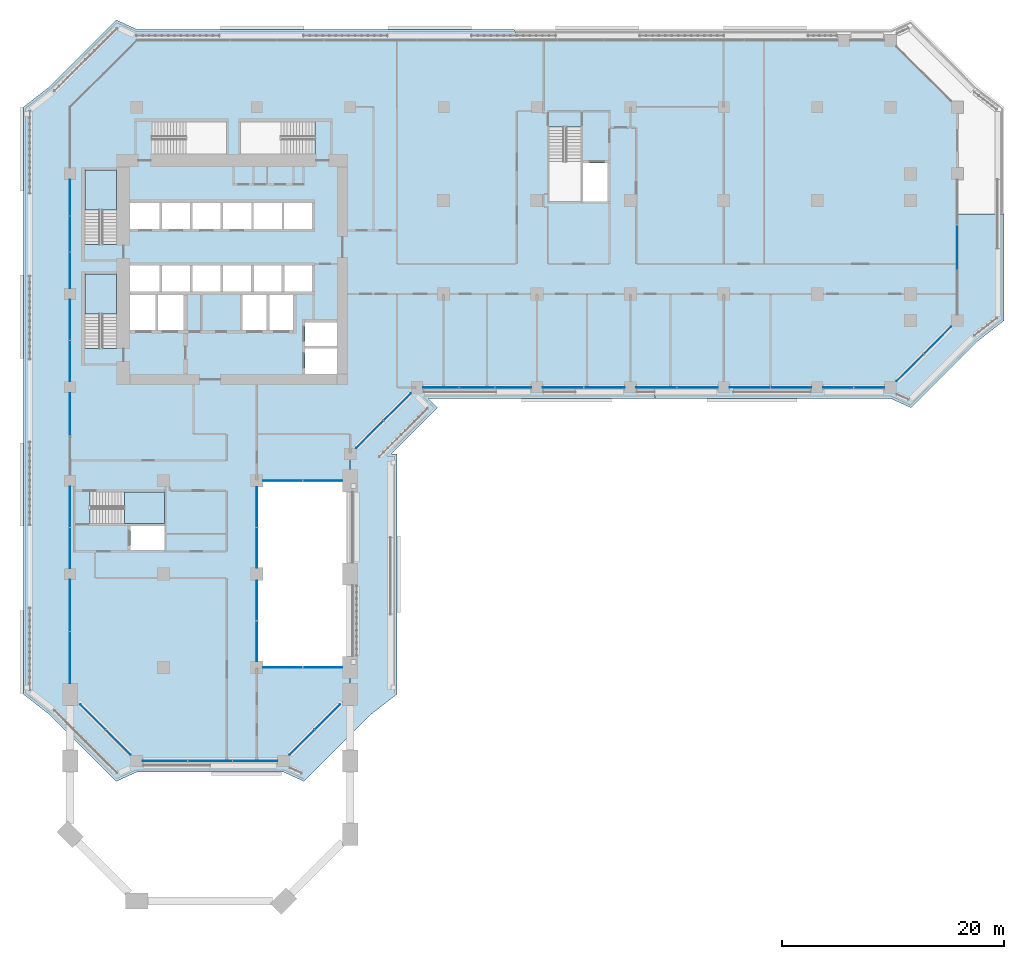
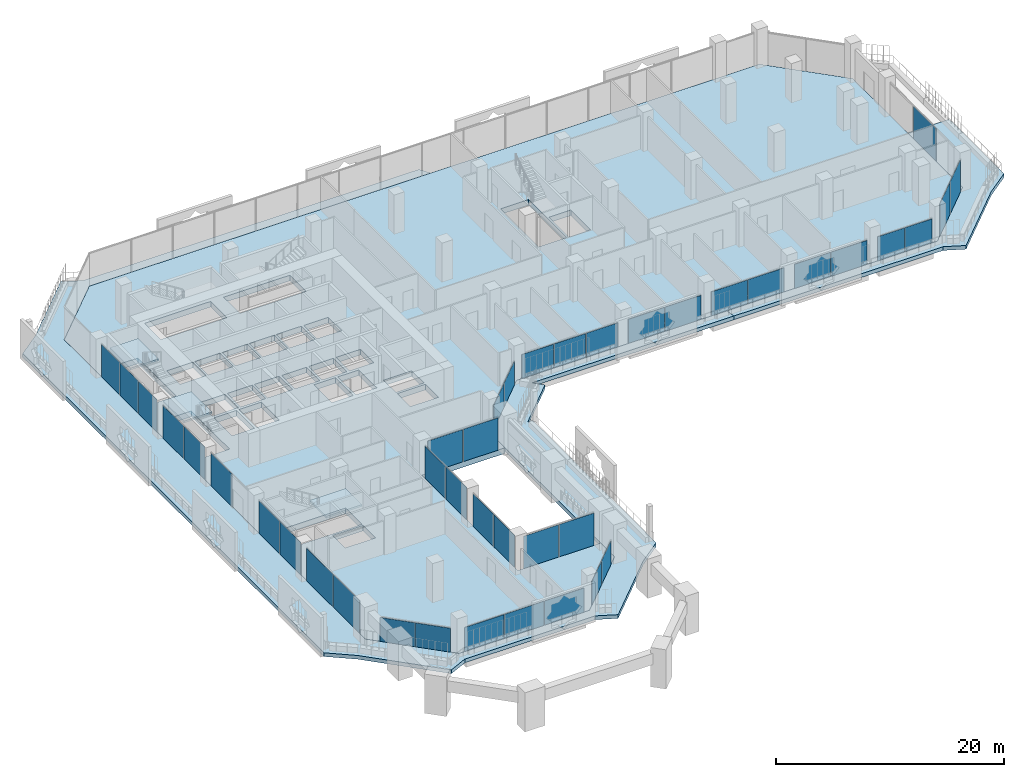
# One storey, part 13 of 29: 41 plates, 6 slabs, 14 elements without a shape of their own.
"""IFC4 building model written with IfcOpenShell, lengths in metres."""

from ifc_helpers import new_model, si_unit, direction, frame, origin, origin_2d, place, context, subcontext, project, spatial, polyline, rectangle, outline, extrude, material, layer, layer_set, type_object, element, aggregate, save


model = new_model("IFC4")

# Units and contexts
model_context = context("Model", 3, precision=1e-05, world=origin(), true_north=direction((0.0, 1.0)))
body_context = subcontext(model_context, "Body", "Model", "MODEL_VIEW")
ifc_project = project(units=[si_unit("LENGTHUNIT", "METRE"), si_unit("AREAUNIT", "SQUARE_METRE"), si_unit("VOLUMEUNIT", "CUBIC_METRE"), si_unit("PLANEANGLEUNIT", "RADIAN"), si_unit("MASSUNIT", "GRAM", prefix="KILO")], contexts=[model_context])

# Site, building, storey
site_placement = place(None, origin())
site = spatial("IfcSite", under=ifc_project, at=site_placement, CompositionType="ELEMENT")
building_placement = place(site_placement, origin())
building = spatial("IfcBuilding", under=site, at=building_placement, Name="Kawkab Arch Medical Tower", CompositionType="ELEMENT")
storey_placement = place(building_placement, frame((0.0, 0.0, 107.199951171875)))
storey = spatial("IfcBuildingStorey", under=building, at=storey_placement, Name="L24", CompositionType="ELEMENT", Elevation=107.199951171875)

# Curtain wall, plates
ifc_material_1 = material(Name="Bronze anodised aluminium curtain wall frame", Category="aluminium")
ifc_layer_1 = layer(ifc_material_1, 0.159912109375)
ifc_layer_set_1 = layer_set([ifc_layer_1], Name="Bronze anodised aluminium curtain wall frame")
curtain_wall_type_1 = type_object("IfcCurtainWallType", Name="CW1 ward curtain wall", PredefinedType="NOTDEFINED", material=ifc_layer_set_1)
placement_1 = place(storey_placement, origin())
curtain_wall_1 = element("IfcCurtainWall", 1, at=placement_1, inside=storey, type_object=curtain_wall_type_1, Name="CW1 Ward curtain wall R07", PredefinedType="NOTDEFINED")
ifc_material_2 = material(Name="Tinted insulating glass, bronze low-e coating", Category="glass")
ifc_layer_2 = layer(ifc_material_2, 0.031982421875)
ifc_layer_set_2 = layer_set([ifc_layer_2], Name="Tinted insulating glass, bronze low-e coating")
plate_type_1 = type_object("IfcPlateType", Name="CW1 glazing unit 32", PredefinedType="CURTAIN_PANEL", material=ifc_layer_set_2)
plate_1_placement = place(storey_placement, frame((33.355712890625, -25.199951171875, 0.0), z_axis=(0.0, 0.0, 1.0), x_axis=(1.0, 0.0, 0.0)))
plate_1 = element("IfcPlate", 2, at=plate_1_placement, type_object=plate_type_1, Name="CW1 glazing unit 1.1", PredefinedType="CURTAIN_PANEL", context=body_context, shape_type="SweptSolid", body=[
    extrude(rectangle(XDim=3.211669921875, YDim=0.031982421875, at=origin_2d()), origin(), (0.0, 0.0, 1.0), 2.580078125),
])
plate_2_placement = place(storey_placement, frame((36.612548828125, -25.199951171875, 0.0), z_axis=(0.0, 0.0, 1.0), x_axis=(1.0, 0.0, 0.0)))
plate_2 = element("IfcPlate", 3, at=plate_2_placement, type_object=plate_type_1, Name="CW1 glazing unit 1.2", PredefinedType="CURTAIN_PANEL", context=body_context, shape_type="SweptSolid", body=[
    extrude(rectangle(XDim=3.181640625, YDim=0.031982421875, at=origin_2d()), origin(), (0.0, 0.0, 1.0), 2.580078125),
])
plate_3_placement = place(storey_placement, frame((39.869140625, -25.199951171875, 0.0), z_axis=(0.0, 0.0, 1.0), x_axis=(1.0, 0.0, 0.0)))
plate_3 = element("IfcPlate", 4, at=plate_3_placement, type_object=plate_type_1, Name="CW1 glazing unit 1.3", PredefinedType="CURTAIN_PANEL", context=body_context, shape_type="SweptSolid", body=[
    extrude(rectangle(XDim=3.211669921875, YDim=0.031982421875, at=origin_2d()), origin(), (0.0, 0.0, 1.0), 2.580078125),
])
plate_4_placement = place(storey_placement, frame((44.347412109375, -25.199951171875, 0.0), z_axis=(0.0, 0.0, 1.0), x_axis=(1.0, 0.0, 0.0)))
plate_4 = element("IfcPlate", 5, at=plate_4_placement, type_object=plate_type_1, Name="CW1 glazing unit 2.1", PredefinedType="CURTAIN_PANEL", context=body_context, shape_type="SweptSolid", body=[
    extrude(rectangle(XDim=3.64501953125, YDim=0.031982421875, at=origin_2d()), origin(), (0.0, 0.0, 1.0), 2.580078125),
])
plate_5_placement = place(storey_placement, frame((48.052490234375, -25.199951171875, 0.0), z_axis=(0.0, 0.0, 1.0), x_axis=(1.0, 0.0, 0.0)))
plate_5 = element("IfcPlate", 6, at=plate_5_placement, type_object=plate_type_1, Name="CW1 glazing unit 2.2", PredefinedType="CURTAIN_PANEL", context=body_context, shape_type="SweptSolid", body=[
    extrude(rectangle(XDim=3.64501953125, YDim=0.031982421875, at=origin_2d()), origin(), (0.0, 0.0, 1.0), 2.580078125),
])
plate_6_placement = place(storey_placement, frame((52.74755859375, -25.199951171875, 0.0), z_axis=(0.0, 0.0, 1.0), x_axis=(1.0, 0.0, 0.0)))
plate_6 = element("IfcPlate", 7, at=plate_6_placement, type_object=plate_type_1, Name="CW1 glazing unit 3.1", PredefinedType="CURTAIN_PANEL", context=body_context, shape_type="SweptSolid", body=[
    extrude(rectangle(XDim=3.64501953125, YDim=0.031982421875, at=origin_2d()), origin(), (0.0, 0.0, 1.0), 2.580078125),
])
plate_7_placement = place(storey_placement, frame((56.452392578125, -25.199951171875, 0.0), z_axis=(0.0, 0.0, 1.0), x_axis=(1.0, 0.0, 0.0)))
plate_7 = element("IfcPlate", 8, at=plate_7_placement, type_object=plate_type_1, Name="CW1 glazing unit 3.2", PredefinedType="CURTAIN_PANEL", context=body_context, shape_type="SweptSolid", body=[
    extrude(rectangle(XDim=3.64501953125, YDim=0.031982421875, at=origin_2d()), origin(), (0.0, 0.0, 1.0), 2.580078125),
])
plate_8_placement = place(storey_placement, frame((61.1474609375, -25.199951171875, 0.0), z_axis=(0.0, 0.0, 1.0), x_axis=(1.0, 0.0, 0.0)))
plate_8 = element("IfcPlate", 9, at=plate_8_placement, type_object=plate_type_1, Name="CW1 glazing unit 4.1", PredefinedType="CURTAIN_PANEL", context=body_context, shape_type="SweptSolid", body=[
    extrude(rectangle(XDim=3.64501953125, YDim=0.031982421875, at=origin_2d()), origin(), (0.0, 0.0, 1.0), 2.580078125),
])
plate_9_placement = place(storey_placement, frame((64.8525390625, -25.199951171875, 0.0), z_axis=(0.0, 0.0, 1.0), x_axis=(1.0, 0.0, 0.0)))
plate_9 = element("IfcPlate", 10, at=plate_9_placement, type_object=plate_type_1, Name="CW1 glazing unit 4.2", PredefinedType="CURTAIN_PANEL", context=body_context, shape_type="SweptSolid", body=[
    extrude(rectangle(XDim=3.64501953125, YDim=0.031982421875, at=origin_2d()), origin(), (0.0, 0.0, 1.0), 2.580078125),
])
plate_10_placement = place(storey_placement, frame((69.09130859375, -25.199951171875, 0.0), z_axis=(0.0, 0.0, 1.0), x_axis=(1.0, 0.0, 0.0)))
plate_10 = element("IfcPlate", 11, at=plate_10_placement, type_object=plate_type_1, Name="CW1 glazing unit 5.1", PredefinedType="CURTAIN_PANEL", context=body_context, shape_type="SweptSolid", body=[
    extrude(rectangle(XDim=2.732421875, YDim=0.031982421875, at=origin_2d()), origin(), (0.0, 0.0, 1.0), 2.580078125),
])
plate_11_placement = place(storey_placement, frame((71.8837890625, -25.199951171875, 0.0), z_axis=(0.0, 0.0, 1.0), x_axis=(1.0, 0.0, 0.0)))
plate_11 = element("IfcPlate", 12, at=plate_11_placement, type_object=plate_type_1, Name="CW1 glazing unit 5.2", PredefinedType="CURTAIN_PANEL", context=body_context, shape_type="SweptSolid", body=[
    extrude(rectangle(XDim=2.732421875, YDim=0.031982421875, at=origin_2d()), origin(), (0.0, 0.0, 1.0), 2.580078125),
])
aggregate(curtain_wall_1, [plate_1, plate_2, plate_3, plate_4, plate_5, plate_6, plate_7, plate_8, plate_9, plate_10, plate_11])

# Curtain wall, plate
curtain_wall_2 = element("IfcCurtainWall", 13, at=placement_1, inside=storey, type_object=curtain_wall_type_1, Name="CW1 Ward curtain wall R09", PredefinedType="NOTDEFINED")
plate_12_placement = place(storey_placement, frame((79.800048828125, -12.614990234375, 0.0), z_axis=(0.0, 0.0, 1.0), x_axis=(0.0, 1.0, 0.0)))
plate_12 = element("IfcPlate", 14, at=plate_12_placement, type_object=plate_type_1, Name="CW1 glazing unit 1.2", PredefinedType="CURTAIN_PANEL", context=body_context, shape_type="SweptSolid", body=[
    extrude(rectangle(XDim=4.00341796875, YDim=0.031982421875, at=origin_2d()), origin(), (0.0, 0.0, 1.0), 3.47998046875),
])
aggregate(curtain_wall_2, [plate_12])

# Curtain wall, plates
curtain_wall_3 = element("IfcCurtainWall", 15, at=placement_1, inside=storey, type_object=curtain_wall_type_1, Name="CW1 Ward curtain wall R13", PredefinedType="NOTDEFINED")
plate_13_placement = place(storey_placement, frame((0.0, -8.15576171875, 0.0), z_axis=(0.0, 0.0, 1.0), x_axis=(0.0, -1.0, 0.0)))
plate_13 = element("IfcPlate", 16, at=plate_13_placement, type_object=plate_type_1, Name="CW1 glazing unit 2.1", PredefinedType="CURTAIN_PANEL", context=body_context, shape_type="SweptSolid", body=[
    extrude(rectangle(XDim=3.211669921875, YDim=0.031982421875, at=origin_2d()), origin(), (0.0, 0.0, 1.0), 3.47998046875),
])
plate_14_placement = place(storey_placement, frame((0.0, -11.41259765625, 0.0), z_axis=(0.0, 0.0, 1.0), x_axis=(0.0, -1.0, 0.0)))
plate_14 = element("IfcPlate", 17, at=plate_14_placement, type_object=plate_type_1, Name="CW1 glazing unit 2.2", PredefinedType="CURTAIN_PANEL", context=body_context, shape_type="SweptSolid", body=[
    extrude(rectangle(XDim=3.181640625, YDim=0.031982421875, at=origin_2d()), origin(), (0.0, 0.0, 1.0), 3.47998046875),
])
plate_15_placement = place(storey_placement, frame((0.0, -14.669189453125, 0.0), z_axis=(0.0, 0.0, 1.0), x_axis=(0.0, -1.0, 0.0)))
plate_15 = element("IfcPlate", 18, at=plate_15_placement, type_object=plate_type_1, Name="CW1 glazing unit 2.3", PredefinedType="CURTAIN_PANEL", context=body_context, shape_type="SweptSolid", body=[
    extrude(rectangle(XDim=3.211669921875, YDim=0.031982421875, at=origin_2d()), origin(), (0.0, 0.0, 1.0), 3.47998046875),
])
plate_16_placement = place(storey_placement, frame((0.0, -19.1474609375, 0.0), z_axis=(0.0, 0.0, 1.0), x_axis=(0.0, -1.0, 0.0)))
plate_16 = element("IfcPlate", 19, at=plate_16_placement, type_object=plate_type_1, Name="CW1 glazing unit 3.1", PredefinedType="CURTAIN_PANEL", context=body_context, shape_type="SweptSolid", body=[
    extrude(rectangle(XDim=3.64501953125, YDim=0.031982421875, at=origin_2d()), origin(), (0.0, 0.0, 1.0), 3.47998046875),
])
plate_17_placement = place(storey_placement, frame((0.0, -22.8525390625, 0.0), z_axis=(0.0, 0.0, 1.0), x_axis=(0.0, -1.0, 0.0)))
plate_17 = element("IfcPlate", 20, at=plate_17_placement, type_object=plate_type_1, Name="CW1 glazing unit 3.2", PredefinedType="CURTAIN_PANEL", context=body_context, shape_type="SweptSolid", body=[
    extrude(rectangle(XDim=3.64501953125, YDim=0.031982421875, at=origin_2d()), origin(), (0.0, 0.0, 1.0), 3.47998046875),
])
plate_18_placement = place(storey_placement, frame((0.0, -27.5625, 0.0), z_axis=(0.0, 0.0, 1.0), x_axis=(0.0, -1.0, 0.0)))
plate_18 = element("IfcPlate", 21, at=plate_18_placement, type_object=plate_type_1, Name="CW1 glazing unit 4.1", PredefinedType="CURTAIN_PANEL", context=body_context, shape_type="SweptSolid", body=[
    extrude(rectangle(XDim=3.675048828125, YDim=0.031982421875, at=origin_2d()), origin(), (0.0, 0.0, 1.0), 3.47998046875),
])
plate_19_placement = place(storey_placement, frame((0.0, -35.947509765625, 0.0), z_axis=(0.0, 0.0, 1.0), x_axis=(0.0, -1.0, 0.0)))
plate_19 = element("IfcPlate", 22, at=plate_19_placement, type_object=plate_type_1, Name="CW1 glazing unit 5.1", PredefinedType="CURTAIN_PANEL", context=body_context, shape_type="SweptSolid", body=[
    extrude(rectangle(XDim=3.64501953125, YDim=0.031982421875, at=origin_2d()), origin(), (0.0, 0.0, 1.0), 3.47998046875),
])
plate_20_placement = place(storey_placement, frame((0.0, -39.652587890625, 0.0), z_axis=(0.0, 0.0, 1.0), x_axis=(0.0, -1.0, 0.0)))
plate_20 = element("IfcPlate", 23, at=plate_20_placement, type_object=plate_type_1, Name="CW1 glazing unit 5.2", PredefinedType="CURTAIN_PANEL", context=body_context, shape_type="SweptSolid", body=[
    extrude(rectangle(XDim=3.64501953125, YDim=0.031982421875, at=origin_2d()), origin(), (0.0, 0.0, 1.0), 3.47998046875),
])
plate_21_placement = place(storey_placement, frame((0.0, -44.828857421875, 0.0), z_axis=(0.0, 0.0, 1.0), x_axis=(0.0, -1.0, 0.0)))
plate_21 = element("IfcPlate", 24, at=plate_21_placement, type_object=plate_type_1, Name="CW1 glazing unit 6.1", PredefinedType="CURTAIN_PANEL", context=body_context, shape_type="SweptSolid", body=[
    extrude(rectangle(XDim=4.607421875, YDim=0.031982421875, at=origin_2d()), origin(), (0.0, 0.0, 1.0), 3.47998046875),
])
plate_22_placement = place(storey_placement, frame((0.0, -49.496337890625, 0.0), z_axis=(0.0, 0.0, 1.0), x_axis=(0.0, -1.0, 0.0)))
plate_22 = element("IfcPlate", 25, at=plate_22_placement, type_object=plate_type_1, Name="CW1 glazing unit 6.2", PredefinedType="CURTAIN_PANEL", context=body_context, shape_type="SweptSolid", body=[
    extrude(rectangle(XDim=4.607421875, YDim=0.031982421875, at=origin_2d()), origin(), (0.0, 0.0, 1.0), 3.47998046875),
])
aggregate(curtain_wall_3, [plate_13, plate_14, plate_15, plate_16, plate_17, plate_18, plate_19, plate_20, plate_21, plate_22])

curtain_wall_4 = element("IfcCurtainWall", 26, at=placement_1, inside=storey, type_object=curtain_wall_type_1, Name="CW1 Ward curtain wall R15", PredefinedType="NOTDEFINED")
plate_23_placement = place(storey_placement, frame((8.5517578125, -58.800048828125, 0.0), z_axis=(0.0, 0.0, 1.0), x_axis=(1.0, 0.0, 0.0)))
plate_23 = element("IfcPlate", 27, at=plate_23_placement, type_object=plate_type_1, Name="CW1 glazing unit 1.1", PredefinedType="CURTAIN_PANEL", context=body_context, shape_type="SweptSolid", body=[
    extrude(rectangle(XDim=4.00341796875, YDim=0.031982421875, at=origin_2d()), origin(), (0.0, 0.0, 1.0), 2.580078125),
])
plate_24_placement = place(storey_placement, frame((12.60009765625, -58.800048828125, 0.0), z_axis=(0.0, 0.0, 1.0), x_axis=(1.0, 0.0, 0.0)))
plate_24 = element("IfcPlate", 28, at=plate_24_placement, type_object=plate_type_1, Name="CW1 glazing unit 1.2", PredefinedType="CURTAIN_PANEL", context=body_context, shape_type="SweptSolid", body=[
    extrude(rectangle(XDim=3.973388671875, YDim=0.031982421875, at=origin_2d()), origin(), (0.0, 0.0, 1.0), 2.580078125),
])
plate_25_placement = place(storey_placement, frame((16.6484375, -58.800048828125, 0.0), z_axis=(0.0, 0.0, 1.0), x_axis=(1.0, 0.0, 0.0)))
plate_25 = element("IfcPlate", 29, at=plate_25_placement, type_object=plate_type_1, Name="CW1 glazing unit 1.3", PredefinedType="CURTAIN_PANEL", context=body_context, shape_type="SweptSolid", body=[
    extrude(rectangle(XDim=4.00341796875, YDim=0.031982421875, at=origin_2d()), origin(), (0.0, 0.0, 1.0), 2.580078125),
])
aggregate(curtain_wall_4, [plate_23, plate_24, plate_25])

ifc_material_3 = material(Name="Bronze anodised aluminium curtain wall frame", Category="aluminium")
ifc_layer_3 = layer(ifc_material_3, 0.159912109375)
ifc_layer_set_3 = layer_set([ifc_layer_3], Name="Bronze anodised aluminium curtain wall frame")
curtain_wall_type_2 = type_object("IfcCurtainWallType", Name="CW2 chamfer curtain wall", PredefinedType="NOTDEFINED", material=ifc_layer_set_3)
curtain_wall_5 = element("IfcCurtainWall", 30, at=placement_1, inside=storey, type_object=curtain_wall_type_2, Name="CW2 Chamfer curtain wall R06", PredefinedType="NOTDEFINED")
ifc_material_4 = material(Name="Tinted insulating glass, bronze low-e coating", Category="glass")
ifc_layer_4 = layer(ifc_material_4, 0.031982421875)
ifc_layer_set_4 = layer_set([ifc_layer_4], Name="Tinted insulating glass, bronze low-e coating")
plate_type_2 = type_object("IfcPlateType", Name="CW2 glazing unit 32", PredefinedType="CURTAIN_PANEL", material=ifc_layer_set_4)
plate_26_placement = place(storey_placement, frame((26.96435546875, -29.435546875, 0.0), z_axis=(0.0, 0.0, 1.0), x_axis=(0.707106781187, 0.707106781187, 0.0)))
plate_26 = element("IfcPlate", 31, at=plate_26_placement, type_object=plate_type_2, Name="CW2 glazing unit 1.1", PredefinedType="CURTAIN_PANEL", context=body_context, shape_type="SweptSolid", body=[
    extrude(rectangle(XDim=3.434814453125, YDim=0.031982421875, at=origin_2d()), origin(), (0.0, 0.0, 1.0), 2.56005859375),
])
plate_27_placement = place(storey_placement, frame((29.435546875, -26.96435546875, 0.0), z_axis=(0.0, 0.0, 1.0), x_axis=(0.707106781187, 0.707106781187, 0.0)))
plate_27 = element("IfcPlate", 32, at=plate_27_placement, type_object=plate_type_2, Name="CW2 glazing unit 1.2", PredefinedType="CURTAIN_PANEL", context=body_context, shape_type="SweptSolid", body=[
    extrude(rectangle(XDim=3.434814453125, YDim=0.031982421875, at=origin_2d()), origin(), (0.0, 0.0, 1.0), 2.56005859375),
])
aggregate(curtain_wall_5, [plate_26, plate_27])

curtain_wall_6 = element("IfcCurtainWall", 33, at=placement_1, inside=storey, type_object=curtain_wall_type_2, Name="CW2 Chamfer curtain wall R08", PredefinedType="NOTDEFINED")
plate_28_placement = place(storey_placement, frame((75.564453125, -23.435546875, 0.0), z_axis=(0.0, 0.0, 1.0), x_axis=(0.707106781187, 0.707106781187, 0.0)))
plate_28 = element("IfcPlate", 34, at=plate_28_placement, type_object=plate_type_2, Name="CW2 glazing unit 1.1", PredefinedType="CURTAIN_PANEL", context=body_context, shape_type="SweptSolid", body=[
    extrude(rectangle(XDim=3.434814453125, YDim=0.031982421875, at=origin_2d()), origin(), (0.0, 0.0, 1.0), 3.4599609375),
])
plate_29_placement = place(storey_placement, frame((78.03564453125, -20.96435546875, 0.0), z_axis=(0.0, 0.0, 1.0), x_axis=(0.707106781187, 0.707106781187, 0.0)))
plate_29 = element("IfcPlate", 35, at=plate_29_placement, type_object=plate_type_2, Name="CW2 glazing unit 1.2", PredefinedType="CURTAIN_PANEL", context=body_context, shape_type="SweptSolid", body=[
    extrude(rectangle(XDim=3.434814453125, YDim=0.031982421875, at=origin_2d()), origin(), (0.0, 0.0, 1.0), 3.4599609375),
])
aggregate(curtain_wall_6, [plate_28, plate_29])

curtain_wall_7 = element("IfcCurtainWall", 36, at=placement_1, inside=storey, type_object=curtain_wall_type_2, Name="CW2 Chamfer curtain wall R14", PredefinedType="NOTDEFINED")
plate_30_placement = place(storey_placement, frame((2.049560546875, -54.849609375, 0.0), z_axis=(0.0, 0.0, 1.0), x_axis=(0.707106781187, -0.707106781187, 0.0)))
plate_30 = element("IfcPlate", 37, at=plate_30_placement, type_object=plate_type_2, Name="CW2 glazing unit 1.1", PredefinedType="CURTAIN_PANEL", context=body_context, shape_type="SweptSolid", body=[
    extrude(rectangle(XDim=3.165771484375, YDim=0.031982421875, at=origin_2d()), origin(), (0.0, 0.0, 1.0), 2.56005859375),
])
plate_31_placement = place(storey_placement, frame((4.330810546875, -57.130615234375, 0.0), z_axis=(0.0, 0.0, 1.0), x_axis=(0.707106781187, -0.707106781187, 0.0)))
plate_31 = element("IfcPlate", 38, at=plate_31_placement, type_object=plate_type_2, Name="CW2 glazing unit 1.2", PredefinedType="CURTAIN_PANEL", context=body_context, shape_type="SweptSolid", body=[
    extrude(rectangle(XDim=3.165771484375, YDim=0.031982421875, at=origin_2d()), origin(), (0.0, 0.0, 1.0), 2.56005859375),
])
aggregate(curtain_wall_7, [plate_30, plate_31])

curtain_wall_8 = element("IfcCurtainWall", 39, at=placement_1, inside=storey, type_object=curtain_wall_type_2, Name="CW2 Chamfer curtain wall R16", PredefinedType="NOTDEFINED")
plate_32_placement = place(storey_placement, frame((20.869384765625, -57.130615234375, 0.0), z_axis=(0.0, 0.0, 1.0), x_axis=(0.707106781187, 0.707106781187, 0.0)))
plate_32 = element("IfcPlate", 40, at=plate_32_placement, type_object=plate_type_2, Name="CW2 glazing unit 1.1", PredefinedType="CURTAIN_PANEL", context=body_context, shape_type="SweptSolid", body=[
    extrude(rectangle(XDim=3.165771484375, YDim=0.031982421875, at=origin_2d()), origin(), (0.0, 0.0, 1.0), 2.56005859375),
])
plate_33_placement = place(storey_placement, frame((23.150390625, -54.849609375, 0.0), z_axis=(0.0, 0.0, 1.0), x_axis=(0.707106781187, 0.707106781187, 0.0)))
plate_33 = element("IfcPlate", 41, at=plate_33_placement, type_object=plate_type_2, Name="CW2 glazing unit 1.2", PredefinedType="CURTAIN_PANEL", context=body_context, shape_type="SweptSolid", body=[
    extrude(rectangle(XDim=3.165771484375, YDim=0.031982421875, at=origin_2d()), origin(), (0.0, 0.0, 1.0), 2.56005859375),
])
aggregate(curtain_wall_8, [plate_32, plate_33])

ifc_material_5 = material(Name="Bronze anodised aluminium curtain wall frame", Category="aluminium")
ifc_layer_5 = layer(ifc_material_5, 0.159912109375)
ifc_layer_set_5 = layer_set([ifc_layer_5], Name="Bronze anodised aluminium curtain wall frame")
curtain_wall_type_3 = type_object("IfcCurtainWallType", Name="CW3 sky garden curtain wall", PredefinedType="NOTDEFINED", material=ifc_layer_set_5)
curtain_wall_9 = element("IfcCurtainWall", 42, at=placement_1, inside=storey, type_object=curtain_wall_type_3, Name="CW3 Sky garden curtain wall R02", PredefinedType="NOTDEFINED")
ifc_material_6 = material(Name="Tinted laminated insulating glass, grey-green", Category="glass")
ifc_layer_6 = layer(ifc_material_6, 0.035888671875)
ifc_layer_set_6 = layer_set([ifc_layer_6], Name="Tinted laminated insulating glass, grey-green")
plate_type_3 = type_object("IfcPlateType", Name="CW3 glazing unit 36", PredefinedType="CURTAIN_PANEL", material=ifc_layer_set_6)
plate_34_placement = place(storey_placement, frame((22.736328125, -50.39990234375, 0.0), z_axis=(0.0, 0.0, 1.0), x_axis=(-1.0, 0.0, 0.0)))
plate_34 = element("IfcPlate", 43, at=plate_34_placement, type_object=plate_type_3, Name="CW3 glazing unit 1.1", PredefinedType="CURTAIN_PANEL", context=body_context, shape_type="SweptSolid", body=[
    extrude(rectangle(XDim=3.527587890625, YDim=0.035888671875, at=origin_2d()), origin(), (0.0, 0.0, 1.0), 3.4599609375),
])
plate_35_placement = place(storey_placement, frame((19.138671875, -50.39990234375, 0.0), z_axis=(0.0, 0.0, 1.0), x_axis=(-1.0, 0.0, 0.0)))
plate_35 = element("IfcPlate", 44, at=plate_35_placement, type_object=plate_type_3, Name="CW3 glazing unit 1.2", PredefinedType="CURTAIN_PANEL", context=body_context, shape_type="SweptSolid", body=[
    extrude(rectangle(XDim=3.527587890625, YDim=0.035888671875, at=origin_2d()), origin(), (0.0, 0.0, 1.0), 3.4599609375),
])
aggregate(curtain_wall_9, [plate_34, plate_35])

curtain_wall_10 = element("IfcCurtainWall", 45, at=placement_1, inside=storey, type_object=curtain_wall_type_3, Name="CW3 Sky garden curtain wall R03", PredefinedType="NOTDEFINED")
plate_36_placement = place(storey_placement, frame((16.800048828125, -48.030029296875, 0.0), z_axis=(0.0, 0.0, 1.0), x_axis=(0.0, 1.0, 0.0)))
plate_36 = element("IfcPlate", 46, at=plate_36_placement, type_object=plate_type_3, Name="CW3 glazing unit 1.1", PredefinedType="CURTAIN_PANEL", context=body_context, shape_type="SweptSolid", body=[
    extrude(rectangle(XDim=3.590087890625, YDim=0.035888671875, at=origin_2d()), origin(), (0.0, 0.0, 1.0), 3.4599609375),
])
plate_37_placement = place(storey_placement, frame((16.800048828125, -44.3701171875, 0.0), z_axis=(0.0, 0.0, 1.0), x_axis=(0.0, 1.0, 0.0)))
plate_37 = element("IfcPlate", 47, at=plate_37_placement, type_object=plate_type_3, Name="CW3 glazing unit 1.2", PredefinedType="CURTAIN_PANEL", context=body_context, shape_type="SweptSolid", body=[
    extrude(rectangle(XDim=3.590087890625, YDim=0.035888671875, at=origin_2d()), origin(), (0.0, 0.0, 1.0), 3.4599609375),
])
plate_38_placement = place(storey_placement, frame((16.800048828125, -39.6298828125, 0.0), z_axis=(0.0, 0.0, 1.0), x_axis=(0.0, 1.0, 0.0)))
plate_38 = element("IfcPlate", 48, at=plate_38_placement, type_object=plate_type_3, Name="CW3 glazing unit 2.1", PredefinedType="CURTAIN_PANEL", context=body_context, shape_type="SweptSolid", body=[
    extrude(rectangle(XDim=3.590087890625, YDim=0.035888671875, at=origin_2d()), origin(), (0.0, 0.0, 1.0), 3.4599609375),
])
plate_39_placement = place(storey_placement, frame((16.800048828125, -35.969970703125, 0.0), z_axis=(0.0, 0.0, 1.0), x_axis=(0.0, 1.0, 0.0)))
plate_39 = element("IfcPlate", 49, at=plate_39_placement, type_object=plate_type_3, Name="CW3 glazing unit 2.2", PredefinedType="CURTAIN_PANEL", context=body_context, shape_type="SweptSolid", body=[
    extrude(rectangle(XDim=3.590087890625, YDim=0.035888671875, at=origin_2d()), origin(), (0.0, 0.0, 1.0), 3.4599609375),
])
aggregate(curtain_wall_10, [plate_36, plate_37, plate_38, plate_39])

curtain_wall_11 = element("IfcCurtainWall", 50, at=placement_1, inside=storey, type_object=curtain_wall_type_3, Name="CW3 Sky garden curtain wall R04", PredefinedType="NOTDEFINED")
plate_40_placement = place(storey_placement, frame((19.138671875, -33.60009765625, 0.0), z_axis=(0.0, 0.0, 1.0), x_axis=(1.0, 0.0, 0.0)))
plate_40 = element("IfcPlate", 51, at=plate_40_placement, type_object=plate_type_3, Name="CW3 glazing unit 1.1", PredefinedType="CURTAIN_PANEL", context=body_context, shape_type="SweptSolid", body=[
    extrude(rectangle(XDim=3.527587890625, YDim=0.035888671875, at=origin_2d()), origin(), (0.0, 0.0, 1.0), 3.4599609375),
])
plate_41_placement = place(storey_placement, frame((22.736328125, -33.60009765625, 0.0), z_axis=(0.0, 0.0, 1.0), x_axis=(1.0, 0.0, 0.0)))
plate_41 = element("IfcPlate", 52, at=plate_41_placement, type_object=plate_type_3, Name="CW3 glazing unit 1.2", PredefinedType="CURTAIN_PANEL", context=body_context, shape_type="SweptSolid", body=[
    extrude(rectangle(XDim=3.527587890625, YDim=0.035888671875, at=origin_2d()), origin(), (0.0, 0.0, 1.0), 3.4599609375),
])
aggregate(curtain_wall_11, [plate_40, plate_41])

# Stair, slab
ifc_material_7 = material(Name="Concrete C40/50", Category="concrete")
stair_type = type_object("IfcStairType", Name="Exit stair 1350", PredefinedType="HALF_TURN_STAIR", material=ifc_material_7)
stair_1 = element("IfcStair", 53, at=placement_1, inside=storey, type_object=stair_type, Name="L24 Exit stair ST1", PredefinedType="HALF_TURN_STAIR")
ifc_material_8 = material(Name="Concrete C40/50", Category="concrete")
ifc_layer_7 = layer(ifc_material_8, 0.199951171875)
ifc_layer_set_7 = layer_set([ifc_layer_7], Name="Concrete C40/50")
slab_type_1 = type_object("IfcSlabType", Name="Exit stair landing 200", PredefinedType="LANDING", material=ifc_layer_set_7)
placement_2 = place(storey_placement, frame((0.0, 0.0, 1.900146484375)))
slab_1 = element("IfcSlab", 54, at=placement_2, type_object=slab_type_1, Name="ST1 landing 1", PredefinedType="LANDING", context=body_context, shape_type="SweptSolid", body=[
    extrude(outline(polyline([(4.199951171875, -9.27001953125), (4.199951171875, -5.64990234375), (1.35009765625, -5.64990234375), (1.35009765625, -9.27001953125), (4.199951171875, -9.27001953125)])), origin(), (0.0, 0.0, 1.0), 0.199951171875),
])
aggregate(stair_1, [slab_1])

stair_2 = element("IfcStair", 55, at=placement_1, inside=storey, type_object=stair_type, Name="L24 Exit stair ST2", PredefinedType="HALF_TURN_STAIR")
slab_2 = element("IfcSlab", 56, at=placement_2, type_object=slab_type_1, Name="ST2 landing 1", PredefinedType="LANDING", context=body_context, shape_type="SweptSolid", body=[
    extrude(outline(polyline([(4.199951171875, -18.6201171875), (4.199951171875, -15.0), (1.35009765625, -15.0), (1.35009765625, -18.6201171875), (4.199951171875, -18.6201171875)])), origin(), (0.0, 0.0, 1.0), 0.199951171875),
])
aggregate(stair_2, [slab_2])

stair_3 = element("IfcStair", 57, at=placement_1, inside=storey, type_object=stair_type, Name="L24 Exit stair ST6", PredefinedType="HALF_TURN_STAIR")
slab_3 = element("IfcSlab", 58, at=placement_2, type_object=slab_type_1, Name="ST6 landing 1", PredefinedType="LANDING", context=body_context, shape_type="SweptSolid", body=[
    extrude(outline(polyline([(4.8798828125, -37.449951171875), (8.5, -37.449951171875), (8.5, -34.60009765625), (4.8798828125, -34.60009765625), (4.8798828125, -37.449951171875)])), origin(), (0.0, 0.0, 1.0), 0.199951171875),
])
aggregate(stair_3, [slab_3])

# Slabs
ifc_material_9 = material(Name="Concrete C45/55", Category="concrete")
ifc_layer_8 = layer(ifc_material_9, 0.60009765625)
ifc_layer_set_8 = layer_set([ifc_layer_8], Name="Concrete C45/55")
slab_type_2 = type_object("IfcSlabType", Name="Flat plate 600 C45/55", PredefinedType="FLOOR", material=ifc_layer_set_8)
slab_4_placement = place(storey_placement, frame((0.0, 0.0, -0.599853515625)))
element("IfcSlab", 59, at=slab_4_placement, inside=storey, type_object=slab_type_2, Name="Floor slab L24", PredefinedType="FLOOR", context=body_context, shape_type="SweptSolid", body=[
    extrude(outline(polyline([(19.199951171875, -58.800048828125), (6.0, -58.800048828125), (0.0, -52.800048828125), (0.0, 0.0), (6.0, 6.0), (73.800048828125, 6.0), (79.800048828125, 0.0), (79.800048828125, -19.199951171875), (73.800048828125, -25.199951171875), (31.199951171875, -25.199951171875), (25.199951171875, -31.199951171875), (25.199951171875, -33.60009765625), (16.800048828125, -33.60009765625), (16.800048828125, -50.39990234375), (25.199951171875, -50.39990234375), (25.199951171875, -52.800048828125), (19.199951171875, -58.800048828125)]), holes=[polyline([(5.425048828125, -37.64990234375), (5.425048828125, -39.85009765625), (8.5, -39.85009765625), (8.5, -37.64990234375), (5.425048828125, -37.64990234375)]), polyline([(1.800048828125, -37.449951171875), (8.5, -37.449951171875), (8.5, -34.60009765625), (1.800048828125, -34.60009765625), (1.800048828125, -37.449951171875)]), polyline([(5.39990234375, -16.89990234375), (5.39990234375, -20.050048828125), (7.675048828125, -20.050048828125), (7.675048828125, -16.89990234375), (5.39990234375, -16.89990234375)]), polyline([(10.199951171875, -16.89990234375), (7.925048828125, -16.89990234375), (7.925048828125, -20.050048828125), (10.199951171875, -20.050048828125), (10.199951171875, -16.89990234375)]), polyline([(4.199951171875, -21.699951171875), (4.199951171875, -15.0), (1.35009765625, -15.0), (1.35009765625, -21.699951171875), (4.199951171875, -21.699951171875)]), polyline([(5.39990234375, -14.25), (5.39990234375, -16.60009765625), (8.050048828125, -16.60009765625), (8.050048828125, -14.25), (5.39990234375, -14.25)]), polyline([(10.800048828125, -14.25), (8.25, -14.25), (8.25, -16.60009765625), (10.800048828125, -16.60009765625), (10.800048828125, -14.25)]), polyline([(11.0, -14.25), (11.0, -16.60009765625), (13.52490234375, -16.60009765625), (13.52490234375, -14.25), (11.0, -14.25)]), polyline([(5.39990234375, -8.60009765625), (5.39990234375, -10.949951171875), (8.050048828125, -10.949951171875), (8.050048828125, -8.60009765625), (5.39990234375, -8.60009765625)]), polyline([(10.800048828125, -8.60009765625), (8.25, -8.60009765625), (8.25, -10.949951171875), (10.800048828125, -10.949951171875), (10.800048828125, -8.60009765625)]), polyline([(11.0, -10.949951171875), (13.550048828125, -10.949951171875), (13.550048828125, -8.60009765625), (11.0, -8.60009765625), (11.0, -10.949951171875)]), polyline([(4.199951171875, -12.35009765625), (4.199951171875, -5.64990234375), (1.35009765625, -5.64990234375), (1.35009765625, -12.35009765625), (4.199951171875, -12.35009765625)]), polyline([(7.35009765625, -4.199951171875), (14.050048828125, -4.199951171875), (14.050048828125, -1.35009765625), (7.35009765625, -1.35009765625), (7.35009765625, -4.199951171875)]), polyline([(24.0, -21.72509765625), (21.14990234375, -21.72509765625), (21.14990234375, -24.0), (24.0, -24.0), (24.0, -21.72509765625)]), polyline([(24.0, -21.47509765625), (24.0, -19.35009765625), (21.14990234375, -19.35009765625), (21.14990234375, -21.47509765625), (24.0, -21.47509765625)]), polyline([(15.52490234375, -16.89990234375), (15.52490234375, -20.050048828125), (17.675048828125, -20.050048828125), (17.675048828125, -16.89990234375), (15.52490234375, -16.89990234375)]), polyline([(17.925048828125, -20.050048828125), (20.050048828125, -20.050048828125), (20.050048828125, -16.89990234375), (17.925048828125, -16.89990234375), (17.925048828125, -20.050048828125)]), polyline([(16.27490234375, -14.25), (13.77490234375, -14.25), (13.77490234375, -16.60009765625), (16.27490234375, -16.60009765625), (16.27490234375, -14.25)]), polyline([(19.02490234375, -14.25), (16.52490234375, -14.25), (16.52490234375, -16.60009765625), (19.02490234375, -16.60009765625), (19.02490234375, -14.25)]), polyline([(19.27490234375, -16.60009765625), (21.75, -16.60009765625), (21.75, -14.25), (19.27490234375, -14.25), (19.27490234375, -16.60009765625)]), polyline([(13.75, -8.60009765625), (13.75, -10.949951171875), (16.300048828125, -10.949951171875), (16.300048828125, -8.60009765625), (13.75, -8.60009765625)]), polyline([(16.5, -8.60009765625), (16.5, -10.949951171875), (19.050048828125, -10.949951171875), (19.050048828125, -8.60009765625), (16.5, -8.60009765625)]), polyline([(19.25, -10.949951171875), (21.75, -10.949951171875), (21.75, -8.60009765625), (19.25, -8.60009765625), (19.25, -10.949951171875)]), polyline([(46.14990234375, -5.02490234375), (46.14990234375, -8.5), (48.35009765625, -8.5), (48.35009765625, -5.02490234375), (46.14990234375, -5.02490234375)]), polyline([(43.10009765625, -1.800048828125), (43.10009765625, -8.5), (45.949951171875, -8.5), (45.949951171875, -1.800048828125), (43.10009765625, -1.800048828125)]), polyline([(22.050048828125, -1.35009765625), (15.35009765625, -1.35009765625), (15.35009765625, -4.199951171875), (22.050048828125, -4.199951171875), (22.050048828125, -1.35009765625)])]), origin(), (0.0, 0.0, 1.0), 0.599853515625),
])
ifc_material_10 = material(Name="Concrete C40/50", Category="concrete")
ifc_layer_9 = layer(ifc_material_10, 0.39990234375)
ifc_layer_set_9 = layer_set([ifc_layer_9], Name="Concrete C40/50")
slab_type_3 = type_object("IfcSlabType", Name="Loggia slab 400", PredefinedType="FLOOR", material=ifc_layer_set_9)
placement_3 = place(storey_placement, frame((0.0, 0.0, -0.39990234375)))
element("IfcSlab", 60, at=placement_3, inside=storey, type_object=slab_type_3, Name="Loggia slab L24.3", PredefinedType="FLOOR", context=body_context, shape_type="SweptSolid", body=[
    extrude(outline(polyline([(-4.199951171875, -52.799072265625), (-4.199951171875, -0.0009765625), (-4.198974609375, -0.0009765625), (-4.198974609375, 0.0009765625), (-1.837890625, 1.837890625), (4.1630859375, 7.837890625), (6.0, 7.0), (39.916015625, 7.0), (39.916015625, 6.9990234375), (39.91796875, 6.9990234375), (40.55810546875, 6.0009765625), (40.55810546875, 6.0), (6.0, 6.0), (-0.0009765625, 0.0), (-0.0009765625, -52.800048828125), (6.0, -58.800048828125), (19.199951171875, -58.800048828125), (25.199951171875, -52.800048828125), (25.199951171875, -31.201904296875), (31.201904296875, -25.199951171875), (52.498046875, -25.199951171875), (52.498046875, -25.200927734375), (52.4990234375, -25.200927734375), (52.4990234375, -25.201904296875), (52.5, -25.201904296875), (52.623046875, -26.197998046875), (52.6220703125, -26.197998046875), (52.6220703125, -26.198974609375), (52.62109375, -26.198974609375), (52.62109375, -26.199951171875), (32.198974609375, -26.199951171875), (33.034912109375, -27.0380859375), (28.8759765625, -31.199951171875), (29.39794921875, -31.199951171875), (29.39794921875, -31.200927734375), (29.39892578125, -31.200927734375), (29.39892578125, -31.201904296875), (29.39990234375, -31.201904296875), (29.39990234375, -52.798095703125), (29.39892578125, -52.798095703125), (29.39892578125, -52.800048828125), (29.39794921875, -52.800048828125), (29.39794921875, -52.802001953125), (27.0380859375, -54.637939453125), (21.035888671875, -60.637939453125), (19.199951171875, -59.800048828125), (6.0, -59.800048828125), (4.1630859375, -60.637939453125), (-1.837890625, -54.637939453125), (-4.198974609375, -52.801025390625), (-4.198974609375, -52.799072265625), (-4.199951171875, -52.799072265625)])), origin(), (0.0, 0.0, 1.0), 0.39990234375),
])
element("IfcSlab", 61, at=placement_3, inside=storey, type_object=slab_type_3, Name="Loggia slab L24.4", PredefinedType="FLOOR", context=body_context, shape_type="SweptSolid", body=[
    extrude(outline(polyline([(81.637939453125, -21.0380859375), (75.637939453125, -27.0380859375), (73.800048828125, -26.199951171875), (52.6240234375, -26.199951171875), (52.5, -25.199951171875), (73.800048828125, -25.199951171875), (79.800048828125, -19.199951171875), (79.800048828125, -9.60009765625), (84.0, -9.60009765625), (84.0, -19.199951171875), (81.637939453125, -21.0380859375)])), origin(), (0.0, 0.0, 1.0), 0.39990234375),
])

save(model, "model.ifc")
